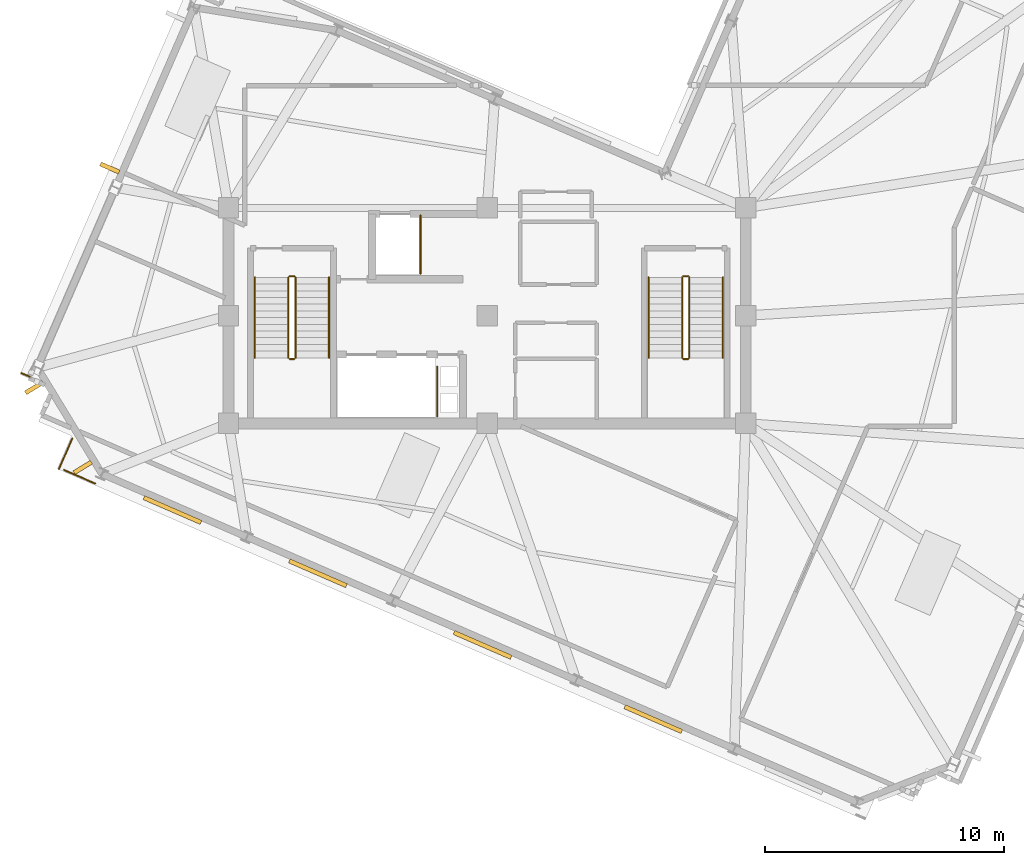
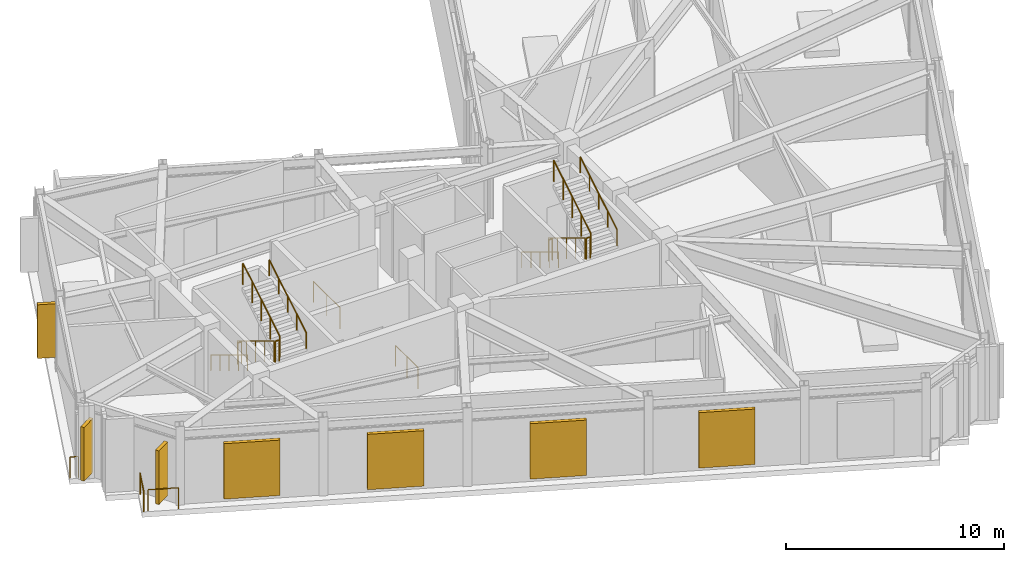
# One storey, part 9 of 11: 17 railings, 7 shading devices.
"""IFC4 building model written with IfcOpenShell, lengths in metres."""

from ifc_helpers import new_model, si_unit, direction, frame, origin, origin_2d, place, context, subcontext, project, spatial, rectangle, circle, extrude, material, layer, layer_set, type_object, element, save


model = new_model("IFC4")

# Units and contexts
model_context = context("Model", 3, precision=1e-05, world=origin(), true_north=direction((0.0, 1.0)))
body_context = subcontext(model_context, "Body", "Model", "MODEL_VIEW")
ifc_project = project(units=[si_unit("LENGTHUNIT", "METRE"), si_unit("AREAUNIT", "SQUARE_METRE"), si_unit("VOLUMEUNIT", "CUBIC_METRE"), si_unit("PLANEANGLEUNIT", "RADIAN"), si_unit("MASSUNIT", "GRAM", prefix="KILO")], contexts=[model_context])

# Site, building, storey
site_placement = place(None, origin())
site = spatial("IfcSite", under=ifc_project, at=site_placement, CompositionType="ELEMENT")
building_placement = place(site_placement, origin())
building = spatial("IfcBuilding", under=site, at=building_placement, Name="Gaonmaruhae Medical Tower", CompositionType="ELEMENT")
storey_placement = place(building_placement, frame((0.0, 0.0, 338.199951171875)))
storey = spatial("IfcBuildingStorey", under=building, at=storey_placement, Name="L81", CompositionType="ELEMENT", Elevation=338.199951171875)

# Railings
ifc_material_1 = material(Name="Stainless steel 316L and laminated safety glass", Category="steel")
ifc_layer = layer(ifc_material_1, 0.080078125)
ifc_layer_set = layer_set([ifc_layer], Name="Stainless steel 316L and laminated safety glass")
railing_type_1 = type_object("IfcRailingType", Name="GD-120 Outdoor Terrace Safety Glass & Steel Balustrade", PredefinedType="BALUSTRADE", material=ifc_layer_set)
railing_1_placement = place(storey_placement, frame((5.33642578125, 9.90478515625, 0.0)))
element("IfcRailing", 1, at=railing_1_placement, inside=storey, type_object=railing_type_1, Name="L81 Perimeter Slab Edge Safety Balustrade 03", PredefinedType="BALUSTRADE", context=body_context, shape_type="SweptSolid", body=[
    extrude(circle(Radius=0.02392578125, at=origin_2d()), frame((0.0, 0.0, 1.17578125), z_axis=(0.916882439796, -0.399157351922, 0.0), x_axis=(0.399157351922, 0.916882439796, 0.0)), (0.0, 0.0, 1.0), 0.393310546875),
    extrude(circle(Radius=0.02099609375, at=origin_2d()), origin(), (0.0, 0.0, 1.0), 1.15185546875),
    extrude(circle(Radius=0.02099609375, at=origin_2d()), frame((0.360595703125, -0.156982421875, 0.0)), (0.0, 0.0, 1.0), 1.15185546875),
])
railing_2_placement = place(storey_placement, frame((7.47265625, 7.169189453125, 0.0)))
element("IfcRailing", 2, at=railing_2_placement, inside=storey, type_object=railing_type_1, Name="L81 Perimeter Slab Edge Safety Balustrade 04", PredefinedType="BALUSTRADE", context=body_context, shape_type="SweptSolid", body=[
    extrude(circle(Radius=0.02392578125, at=origin_2d()), frame((0.0, 0.0, 1.17578125), z_axis=(-0.398694070207, -0.917083986547, 0.0), x_axis=(0.917083986547, -0.398694070207, 0.0)), (0.0, 0.0, 1.0), 1.39306640625),
    extrude(circle(Radius=0.02099609375, at=origin_2d()), origin(), (0.0, 0.0, 1.0), 1.15185546875),
    extrude(circle(Radius=0.02099609375, at=origin_2d()), frame((-0.555419921875, -1.277587890625, 0.0)), (0.0, 0.0, 1.0), 1.15185546875),
])
railing_3_placement = place(storey_placement, frame((7.12890625, 5.85400390625, 0.0)))
element("IfcRailing", 3, at=railing_3_placement, inside=storey, type_object=railing_type_1, Name="L81 Perimeter Slab Edge Safety Balustrade 05", PredefinedType="BALUSTRADE", context=body_context, shape_type="SweptSolid", body=[
    extrude(circle(Radius=0.02392578125, at=origin_2d()), frame((0.0, 0.0, 1.17578125), z_axis=(0.917100195182, -0.398656784713, 0.0), x_axis=(0.398656784713, 0.917100195182, 0.0)), (0.0, 0.0, 1.0), 1.41650390625),
    extrude(circle(Radius=0.02099609375, at=origin_2d()), origin(), (0.0, 0.0, 1.0), 1.15185546875),
    extrude(circle(Radius=0.02099609375, at=origin_2d()), frame((1.299072265625, -0.564697265625, 0.0)), (0.0, 0.0, 1.0), 1.15185546875),
])
ifc_material_2 = material(Name="Stainless steel 304 handrail", Category="steel")
railing_type_2 = type_object("IfcRailingType", Name="HR-092 Continuous Stainless Steel Stair Handrail", PredefinedType="HANDRAIL", material=ifc_material_2)
railing_4_placement = place(storey_placement, frame((15.10009765625, 13.89990234375, 0.169189453125)))
element("IfcRailing", 4, at=railing_4_placement, inside=storey, type_object=railing_type_2, Name="L81 ST-01 stair handrail 1", PredefinedType="HANDRAIL", context=body_context, shape_type="SweptSolid", body=[
    extrude(circle(Radius=0.02392578125, at=origin_2d()), frame((0.0, 0.0, 0.8759765625), z_axis=(0.0, -0.855820338506, 0.51727318527), x_axis=(1.0, 0.0, 0.0)), (0.0, 0.0, 1.0), 3.92578125),
    extrude(circle(Radius=0.02099609375, at=origin_2d()), origin(), (0.0, 0.0, 1.0), 0.851806640625),
    extrude(circle(Radius=0.02099609375, at=origin_2d()), frame((0.0, -0.83984375, 0.5078125)), (0.0, 0.0, 1.0), 0.851806640625),
    extrude(circle(Radius=0.02099609375, at=origin_2d()), frame((0.0, -1.679931640625, 1.015380859375)), (0.0, 0.0, 1.0), 0.851806640625),
    extrude(circle(Radius=0.02099609375, at=origin_2d()), frame((0.0, -2.52001953125, 1.52294921875)), (0.0, 0.0, 1.0), 0.851806640625),
    extrude(circle(Radius=0.02099609375, at=origin_2d()), frame((0.0, -3.35986328125, 2.03076171875)), (0.0, 0.0, 1.0), 0.851806640625),
])
railing_5_placement = place(storey_placement, frame((18.199951171875, 10.5400390625, 2.369384765625)))
element("IfcRailing", 5, at=railing_5_placement, inside=storey, type_object=railing_type_2, Name="L81 ST-01 stair handrail 2", PredefinedType="HANDRAIL", context=body_context, shape_type="SweptSolid", body=[
    extrude(circle(Radius=0.02392578125, at=origin_2d()), frame((0.0, 0.0, 0.8759765625), z_axis=(0.0, 0.855820338506, 0.51727318527), x_axis=(-1.0, 0.0, 0.0)), (0.0, 0.0, 1.0), 3.92578125),
    extrude(circle(Radius=0.02099609375, at=origin_2d()), origin(), (0.0, 0.0, 1.0), 0.851806640625),
    extrude(circle(Radius=0.02099609375, at=origin_2d()), frame((0.0, 0.83984375, 0.5078125)), (0.0, 0.0, 1.0), 0.851806640625),
    extrude(circle(Radius=0.02099609375, at=origin_2d()), frame((0.0, 1.679931640625, 1.015380859375)), (0.0, 0.0, 1.0), 0.851806640625),
    extrude(circle(Radius=0.02099609375, at=origin_2d()), frame((0.0, 2.52001953125, 1.52294921875)), (0.0, 0.0, 1.0), 0.851806640625),
    extrude(circle(Radius=0.02099609375, at=origin_2d()), frame((0.0, 3.35986328125, 2.03076171875)), (0.0, 0.0, 1.0), 0.851806640625),
])
railing_6_placement = place(storey_placement, frame((31.550048828125, 13.89990234375, 0.169189453125)))
element("IfcRailing", 6, at=railing_6_placement, inside=storey, type_object=railing_type_2, Name="L81 ST-02 stair handrail 1", PredefinedType="HANDRAIL", context=body_context, shape_type="SweptSolid", body=[
    extrude(circle(Radius=0.02392578125, at=origin_2d()), frame((0.0, 0.0, 0.8759765625), z_axis=(0.0, -0.855820338506, 0.51727318527), x_axis=(1.0, 0.0, 0.0)), (0.0, 0.0, 1.0), 3.92578125),
    extrude(circle(Radius=0.02099609375, at=origin_2d()), origin(), (0.0, 0.0, 1.0), 0.851806640625),
    extrude(circle(Radius=0.02099609375, at=origin_2d()), frame((0.0, -0.83984375, 0.5078125)), (0.0, 0.0, 1.0), 0.851806640625),
    extrude(circle(Radius=0.02099609375, at=origin_2d()), frame((0.0, -1.679931640625, 1.015380859375)), (0.0, 0.0, 1.0), 0.851806640625),
    extrude(circle(Radius=0.02099609375, at=origin_2d()), frame((0.0, -2.52001953125, 1.52294921875)), (0.0, 0.0, 1.0), 0.851806640625),
    extrude(circle(Radius=0.02099609375, at=origin_2d()), frame((0.0, -3.35986328125, 2.03076171875)), (0.0, 0.0, 1.0), 0.851806640625),
])
railing_7_placement = place(storey_placement, frame((34.64990234375, 10.5400390625, 2.369384765625)))
element("IfcRailing", 7, at=railing_7_placement, inside=storey, type_object=railing_type_2, Name="L81 ST-02 stair handrail 2", PredefinedType="HANDRAIL", context=body_context, shape_type="SweptSolid", body=[
    extrude(circle(Radius=0.02392578125, at=origin_2d()), frame((0.0, 0.0, 0.8759765625), z_axis=(0.0, 0.855820338506, 0.51727318527), x_axis=(-1.0, 0.0, 0.0)), (0.0, 0.0, 1.0), 3.92578125),
    extrude(circle(Radius=0.02099609375, at=origin_2d()), origin(), (0.0, 0.0, 1.0), 0.851806640625),
    extrude(circle(Radius=0.02099609375, at=origin_2d()), frame((0.0, 0.83984375, 0.5078125)), (0.0, 0.0, 1.0), 0.851806640625),
    extrude(circle(Radius=0.02099609375, at=origin_2d()), frame((0.0, 1.679931640625, 1.015380859375)), (0.0, 0.0, 1.0), 0.851806640625),
    extrude(circle(Radius=0.02099609375, at=origin_2d()), frame((0.0, 2.52001953125, 1.52294921875)), (0.0, 0.0, 1.0), 0.851806640625),
    extrude(circle(Radius=0.02099609375, at=origin_2d()), frame((0.0, 3.35986328125, 2.03076171875)), (0.0, 0.0, 1.0), 0.851806640625),
])

# Shading devices
ifc_material_3 = material(Name="Pigmented coral precast concrete C45/55", Category="concrete")
shading_device_type_1 = type_object("IfcShadingDeviceType", Name="SD-FIN1 Tower Vertical Coral Precast Shading Fin", PredefinedType="USERDEFINED", material=ifc_material_3)
for number, where, z_axis, x_axis, name in (
    (8, (9.04296875, 18.466796875, 0.29248046875), (0.0, 0.0, 1.0), (0.398749068925, 0.917060074385, 0.0), "L81 Vertical Coral Precast Shading Fin N01"),
    (9, (7.91162109375, 5.960205078125, 0.29248046875), (0.0, 0.0, 1.0), (-0.519250650088, 0.854621999707, 0.0), "L81 Vertical Coral Precast Shading Fin N03"),
    (10, (5.885498046875, 9.295166015625, 0.29248046875), (0.0, 0.0, 1.0), (-0.519250650088, 0.854621999707, 0.0), "L81 Vertical Coral Precast Shading Fin N03B"),
):
    element("IfcShadingDevice", number, at=place(storey_placement, frame(where, z_axis=z_axis, x_axis=x_axis)), inside=storey, type_object=shading_device_type_1, Name=name, ObjectType="FIN", PredefinedType="USERDEFINED", context=body_context, shape_type="SweptSolid", body=[
        extrude(rectangle(XDim=0.179931640625, YDim=0.85009765625, at=origin_2d()), origin(), (0.0, 0.0, 1.0), 3.0),
    ])
ifc_material_4 = material(Name="Anodised aluminium louvre", Category="aluminium")
shading_device_type_2 = type_object("IfcShadingDeviceType", Name="SD-LVR1 Crown Acoustic Intake Aluminium Louvre", PredefinedType="USERDEFINED", material=ifc_material_4)
for number, where, z_axis, x_axis, name in (
    (11, (11.65771484375, 4.17919921875, 0.242431640625), (0.0, 0.0, 1.0), (-0.917060074385, 0.398749068925, 0.0), "L81 Crown Mechanical Intake Louvre W01"),
    (12, (17.733154296875, 1.53759765625, 0.242431640625), (0.0, 0.0, 1.0), (-0.91706703373, 0.398733063147, 0.0), "L81 Crown Mechanical Intake Louvre W02"),
    (13, (24.611083984375, -1.453125, 0.242431640625), (0.0, 0.0, 1.0), (-0.917060074385, 0.398749068925, 0.0), "L81 Crown Mechanical Intake Louvre W03"),
    (14, (31.7412109375, -4.553466796875, 0.242431640625), (0.0, 0.0, 1.0), (-0.917060074385, 0.398749068925, 0.0), "L81 Crown Mechanical Intake Louvre W04"),
):
    element("IfcShadingDevice", number, at=place(storey_placement, frame(where, z_axis=z_axis, x_axis=x_axis)), inside=storey, type_object=shading_device_type_2, Name=name, ObjectType="LOUVRE", PredefinedType="USERDEFINED", context=body_context, shape_type="SweptSolid", body=[
        extrude(rectangle(XDim=2.60009765625, YDim=0.179931640625, at=origin_2d()), origin(), (0.0, 0.0, 1.0), 3.10009765625),
    ])

# Railings
ifc_material_5 = material(Name="Stainless steel 304 balustrade", Category="steel")
railing_type_3 = type_object("IfcRailingType", Name="SG-112 Stair Well & Ramp Void Safety Balustrade", PredefinedType="BALUSTRADE", material=ifc_material_5)
railing_8_placement = place(storey_placement, frame((16.5, 13.89990234375, 0.169189453125)))
element("IfcRailing", 15, at=railing_8_placement, inside=storey, type_object=railing_type_3, Name="L81 ST-01 stair guard 1", PredefinedType="BALUSTRADE", context=body_context, shape_type="SweptSolid", body=[
    extrude(circle(Radius=0.02392578125, at=origin_2d()), frame((0.0, 0.0, 1.17578125), z_axis=(0.0, -0.855820338506, 0.51727318527), x_axis=(1.0, 0.0, 0.0)), (0.0, 0.0, 1.0), 3.92578125),
    extrude(circle(Radius=0.02099609375, at=origin_2d()), origin(), (0.0, 0.0, 1.0), 1.15185546875),
    extrude(circle(Radius=0.02099609375, at=origin_2d()), frame((0.0, -0.83984375, 0.5078125)), (0.0, 0.0, 1.0), 1.15185546875),
    extrude(circle(Radius=0.02099609375, at=origin_2d()), frame((0.0, -1.679931640625, 1.015380859375)), (0.0, 0.0, 1.0), 1.15185546875),
    extrude(circle(Radius=0.02099609375, at=origin_2d()), frame((0.0, -2.52001953125, 1.52294921875)), (0.0, 0.0, 1.0), 1.15185546875),
    extrude(circle(Radius=0.02099609375, at=origin_2d()), frame((0.0, -3.35986328125, 2.03076171875)), (0.0, 0.0, 1.0), 1.15185546875),
])
railing_9_placement = place(storey_placement, frame((16.550048828125, 10.489990234375, 2.199951171875)))
element("IfcRailing", 16, at=railing_9_placement, inside=storey, type_object=railing_type_3, Name="L81 ST-01 stair guard 2", PredefinedType="BALUSTRADE", context=body_context, shape_type="SweptSolid", body=[
    extrude(circle(Radius=0.02392578125, at=origin_2d()), frame((0.0, 0.0, 1.17578125), z_axis=(1.0, 0.0, 0.0), x_axis=(0.0, 1.0, 0.0)), (0.0, 0.0, 1.0), 0.199951171875),
    extrude(circle(Radius=0.02099609375, at=origin_2d()), origin(), (0.0, 0.0, 1.0), 1.15185546875),
    extrude(circle(Radius=0.02099609375, at=origin_2d()), frame((0.199951171875, 0.0, 0.0)), (0.0, 0.0, 1.0), 1.15185546875),
])
railing_10_placement = place(storey_placement, frame((16.800048828125, 10.5400390625, 2.369384765625)))
element("IfcRailing", 17, at=railing_10_placement, inside=storey, type_object=railing_type_3, Name="L81 ST-01 stair guard 3", PredefinedType="BALUSTRADE", context=body_context, shape_type="SweptSolid", body=[
    extrude(circle(Radius=0.02392578125, at=origin_2d()), frame((0.0, 0.0, 1.17578125), z_axis=(0.0, 0.855820338506, 0.51727318527), x_axis=(-1.0, 0.0, 0.0)), (0.0, 0.0, 1.0), 3.92578125),
    extrude(circle(Radius=0.02099609375, at=origin_2d()), origin(), (0.0, 0.0, 1.0), 1.15185546875),
    extrude(circle(Radius=0.02099609375, at=origin_2d()), frame((0.0, 0.83984375, 0.5078125)), (0.0, 0.0, 1.0), 1.15185546875),
    extrude(circle(Radius=0.02099609375, at=origin_2d()), frame((0.0, 1.679931640625, 1.015380859375)), (0.0, 0.0, 1.0), 1.15185546875),
    extrude(circle(Radius=0.02099609375, at=origin_2d()), frame((0.0, 2.52001953125, 1.52294921875)), (0.0, 0.0, 1.0), 1.15185546875),
    extrude(circle(Radius=0.02099609375, at=origin_2d()), frame((0.0, 3.35986328125, 2.03076171875)), (0.0, 0.0, 1.0), 1.15185546875),
])
railing_11_placement = place(storey_placement, frame((16.550048828125, 13.949951171875, 0.0)))
element("IfcRailing", 18, at=railing_11_placement, inside=storey, type_object=railing_type_3, Name="L81 ST-01 stair guard 4", PredefinedType="BALUSTRADE", context=body_context, shape_type="SweptSolid", body=[
    extrude(circle(Radius=0.02392578125, at=origin_2d()), frame((0.0, 0.0, 1.17578125), z_axis=(1.0, 0.0, 0.0), x_axis=(0.0, 1.0, 0.0)), (0.0, 0.0, 1.0), 0.199951171875),
    extrude(circle(Radius=0.02099609375, at=origin_2d()), origin(), (0.0, 0.0, 1.0), 1.15185546875),
    extrude(circle(Radius=0.02099609375, at=origin_2d()), frame((0.199951171875, 0.0, 0.0)), (0.0, 0.0, 1.0), 1.15185546875),
])
railing_12_placement = place(storey_placement, frame((32.949951171875, 13.89990234375, 0.169189453125)))
element("IfcRailing", 19, at=railing_12_placement, inside=storey, type_object=railing_type_3, Name="L81 ST-02 stair guard 1", PredefinedType="BALUSTRADE", context=body_context, shape_type="SweptSolid", body=[
    extrude(circle(Radius=0.02392578125, at=origin_2d()), frame((0.0, 0.0, 1.17578125), z_axis=(0.0, -0.855820338506, 0.51727318527), x_axis=(1.0, 0.0, 0.0)), (0.0, 0.0, 1.0), 3.92578125),
    extrude(circle(Radius=0.02099609375, at=origin_2d()), origin(), (0.0, 0.0, 1.0), 1.15185546875),
    extrude(circle(Radius=0.02099609375, at=origin_2d()), frame((0.0, -0.83984375, 0.5078125)), (0.0, 0.0, 1.0), 1.15185546875),
    extrude(circle(Radius=0.02099609375, at=origin_2d()), frame((0.0, -1.679931640625, 1.015380859375)), (0.0, 0.0, 1.0), 1.15185546875),
    extrude(circle(Radius=0.02099609375, at=origin_2d()), frame((0.0, -2.52001953125, 1.52294921875)), (0.0, 0.0, 1.0), 1.15185546875),
    extrude(circle(Radius=0.02099609375, at=origin_2d()), frame((0.0, -3.35986328125, 2.03076171875)), (0.0, 0.0, 1.0), 1.15185546875),
])
railing_13_placement = place(storey_placement, frame((33.0, 10.489990234375, 2.199951171875)))
element("IfcRailing", 20, at=railing_13_placement, inside=storey, type_object=railing_type_3, Name="L81 ST-02 stair guard 2", PredefinedType="BALUSTRADE", context=body_context, shape_type="SweptSolid", body=[
    extrude(circle(Radius=0.02392578125, at=origin_2d()), frame((0.0, 0.0, 1.17578125), z_axis=(1.0, 0.0, 0.0), x_axis=(0.0, 1.0, 0.0)), (0.0, 0.0, 1.0), 0.199951171875),
    extrude(circle(Radius=0.02099609375, at=origin_2d()), origin(), (0.0, 0.0, 1.0), 1.15185546875),
    extrude(circle(Radius=0.02099609375, at=origin_2d()), frame((0.199951171875, 0.0, 0.0)), (0.0, 0.0, 1.0), 1.15185546875),
])
railing_14_placement = place(storey_placement, frame((33.25, 10.5400390625, 2.369384765625)))
element("IfcRailing", 21, at=railing_14_placement, inside=storey, type_object=railing_type_3, Name="L81 ST-02 stair guard 3", PredefinedType="BALUSTRADE", context=body_context, shape_type="SweptSolid", body=[
    extrude(circle(Radius=0.02392578125, at=origin_2d()), frame((0.0, 0.0, 1.17578125), z_axis=(0.0, 0.855820338506, 0.51727318527), x_axis=(-1.0, 0.0, 0.0)), (0.0, 0.0, 1.0), 3.92578125),
    extrude(circle(Radius=0.02099609375, at=origin_2d()), origin(), (0.0, 0.0, 1.0), 1.15185546875),
    extrude(circle(Radius=0.02099609375, at=origin_2d()), frame((0.0, 0.83984375, 0.5078125)), (0.0, 0.0, 1.0), 1.15185546875),
    extrude(circle(Radius=0.02099609375, at=origin_2d()), frame((0.0, 1.679931640625, 1.015380859375)), (0.0, 0.0, 1.0), 1.15185546875),
    extrude(circle(Radius=0.02099609375, at=origin_2d()), frame((0.0, 2.52001953125, 1.52294921875)), (0.0, 0.0, 1.0), 1.15185546875),
    extrude(circle(Radius=0.02099609375, at=origin_2d()), frame((0.0, 3.35986328125, 2.03076171875)), (0.0, 0.0, 1.0), 1.15185546875),
])
railing_15_placement = place(storey_placement, frame((33.0, 13.949951171875, 0.0)))
element("IfcRailing", 22, at=railing_15_placement, inside=storey, type_object=railing_type_3, Name="L81 ST-02 stair guard 4", PredefinedType="BALUSTRADE", context=body_context, shape_type="SweptSolid", body=[
    extrude(circle(Radius=0.02392578125, at=origin_2d()), frame((0.0, 0.0, 1.17578125), z_axis=(1.0, 0.0, 0.0), x_axis=(0.0, 1.0, 0.0)), (0.0, 0.0, 1.0), 0.199951171875),
    extrude(circle(Radius=0.02099609375, at=origin_2d()), origin(), (0.0, 0.0, 1.0), 1.15185546875),
    extrude(circle(Radius=0.02099609375, at=origin_2d()), frame((0.199951171875, 0.0, 0.0)), (0.0, 0.0, 1.0), 1.15185546875),
])
railing_16_placement = place(storey_placement, frame((22.719970703125, 10.159912109375, 0.0)))
element("IfcRailing", 23, at=railing_16_placement, inside=storey, type_object=railing_type_3, Name="L81 Shaft Edge Safety Guard 07", PredefinedType="BALUSTRADE", context=body_context, shape_type="SweptSolid", body=[
    extrude(circle(Radius=0.02392578125, at=origin_2d()), frame((0.0, 0.0, 1.17578125), z_axis=(0.0, -1.0, 0.0), x_axis=(1.0, 0.0, 0.0)), (0.0, 0.0, 1.0), 2.06494140625),
    extrude(circle(Radius=0.02099609375, at=origin_2d()), origin(), (0.0, 0.0, 1.0), 1.15185546875),
    extrude(circle(Radius=0.02099609375, at=origin_2d()), frame((0.0, -1.032470703125, 0.0)), (0.0, 0.0, 1.0), 1.15185546875),
    extrude(circle(Radius=0.02099609375, at=origin_2d()), frame((0.0, -2.06494140625, 0.0)), (0.0, 0.0, 1.0), 1.15185546875),
])
railing_17_placement = place(storey_placement, frame((22.02001953125, 16.485107421875, 0.0)))
element("IfcRailing", 24, at=railing_17_placement, inside=storey, type_object=railing_type_3, Name="L81 Shaft Edge Safety Guard 08", PredefinedType="BALUSTRADE", context=body_context, shape_type="SweptSolid", body=[
    extrude(circle(Radius=0.02392578125, at=origin_2d()), frame((0.0, 0.0, 1.17578125), z_axis=(0.0, -1.0, 0.0), x_axis=(1.0, 0.0, 0.0)), (0.0, 0.0, 1.0), 2.440185546875),
    extrude(circle(Radius=0.02099609375, at=origin_2d()), origin(), (0.0, 0.0, 1.0), 1.15185546875),
    extrude(circle(Radius=0.02099609375, at=origin_2d()), frame((0.0, -1.22021484375, 0.0)), (0.0, 0.0, 1.0), 1.15185546875),
    extrude(circle(Radius=0.02099609375, at=origin_2d()), frame((0.0, -2.440185546875, 0.0)), (0.0, 0.0, 1.0), 1.15185546875),
])

save(model, "model.ifc")
